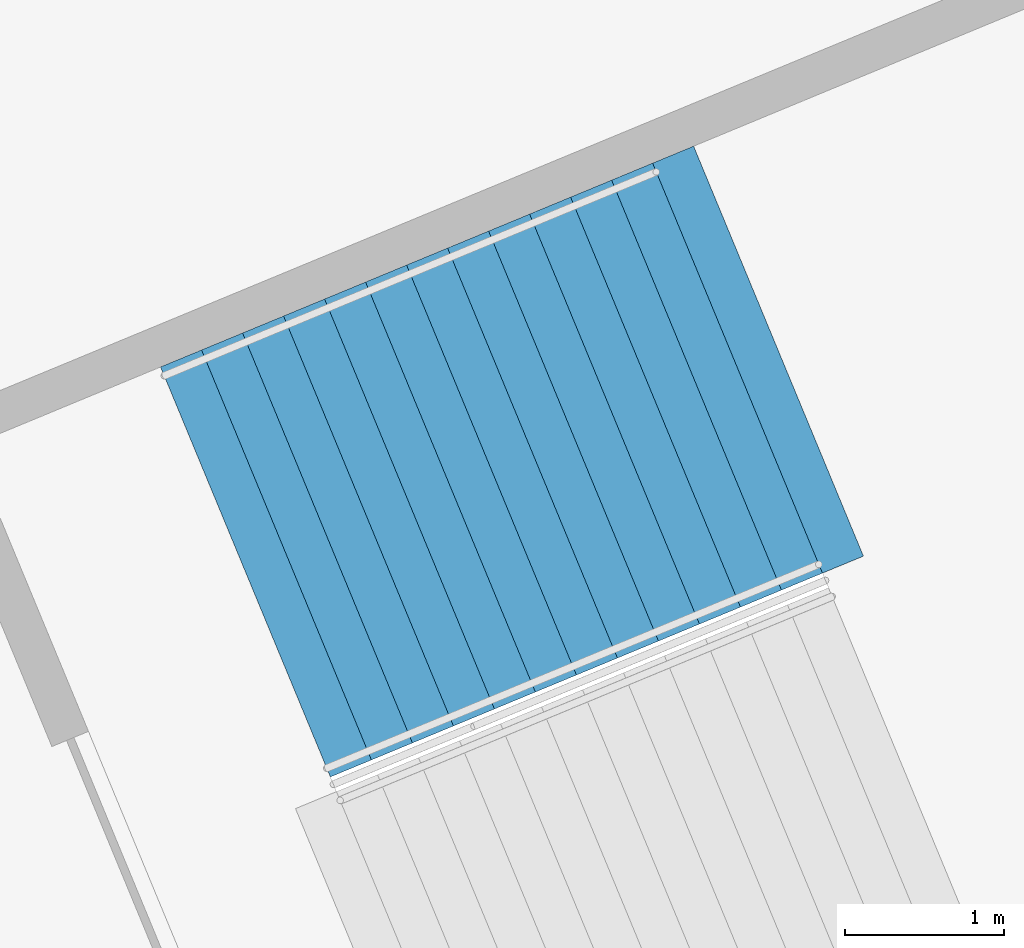
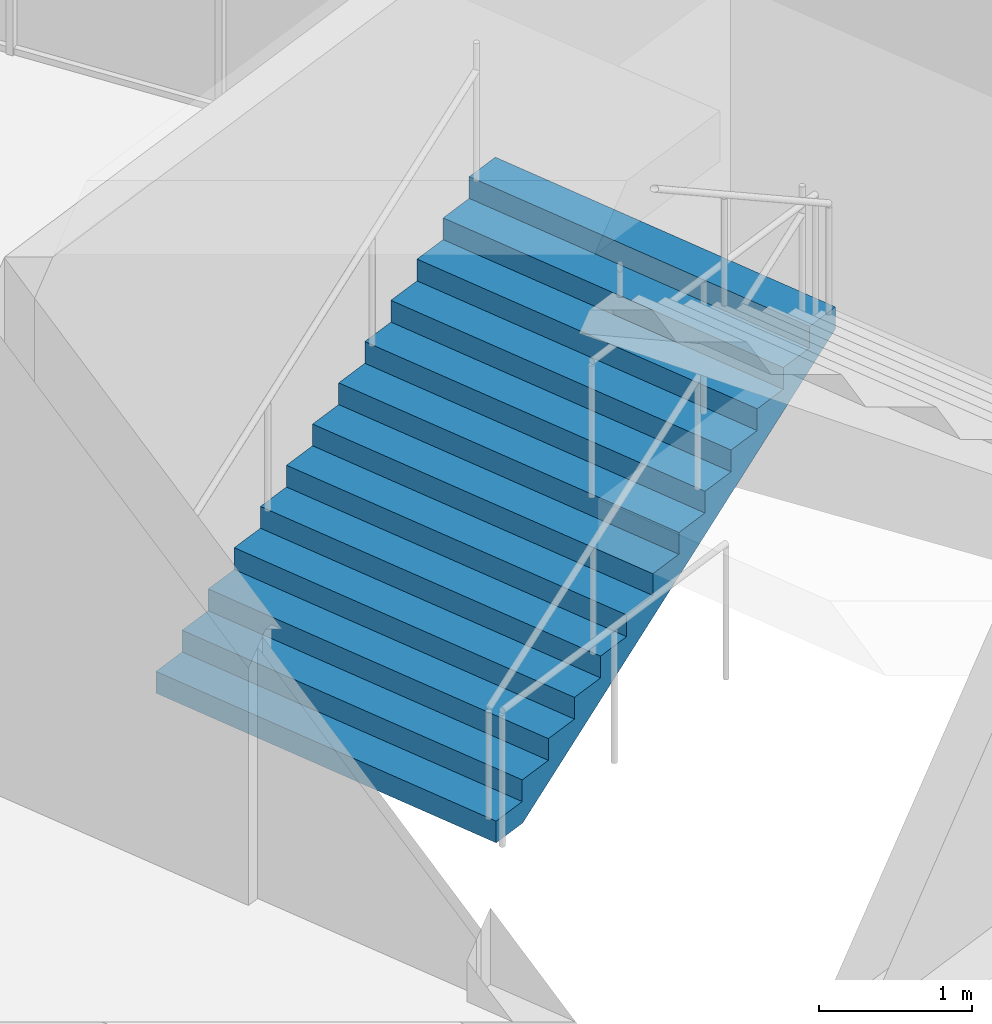
# One storey, part 227 of 249: 1 stair flight, 1 element without a shape of its own.
"""IFC4 building model written with IfcOpenShell, lengths in metres."""

from ifc_helpers import new_model, si_unit, direction, frame, origin, place, context, subcontext, project, spatial, faceted_brep, material, type_object, element, aggregate, save


model = new_model("IFC4")

# Units and contexts
model_context = context("Model", 3, precision=1e-05, world=origin(), true_north=direction((0.0, 1.0)))
body_context = subcontext(model_context, "Body", "Model", "MODEL_VIEW")
ifc_project = project(units=[si_unit("LENGTHUNIT", "METRE"), si_unit("AREAUNIT", "SQUARE_METRE"), si_unit("VOLUMEUNIT", "CUBIC_METRE"), si_unit("PLANEANGLEUNIT", "RADIAN"), si_unit("MASSUNIT", "GRAM", prefix="KILO")], contexts=[model_context])

# Site, building, storey
site_placement = place(None, origin())
site = spatial("IfcSite", under=ifc_project, at=site_placement, CompositionType="ELEMENT")
building_placement = place(site_placement, origin())
building = spatial("IfcBuilding", under=site, at=building_placement, Name="Ogive Plaza Stadium", CompositionType="ELEMENT")
storey_placement = place(building_placement, frame((0.0, 0.0, 13.5)))
storey = spatial("IfcBuildingStorey", under=building, at=storey_placement, Name="L03", CompositionType="ELEMENT", Elevation=13.5)

# Stair, stair flight
ifc_material_1 = material(Name="Concrete C40/50", Category="concrete")
stair_type = type_object("IfcStairType", Name="Exit stair", PredefinedType="STRAIGHT_RUN_STAIR", material=ifc_material_1)
stair_placement = place(storey_placement, origin())
stair = element("IfcStair", 1, at=stair_placement, inside=storey, type_object=stair_type, Name="Exit stair ST40B L03 to L04", PredefinedType="STRAIGHT_RUN_STAIR")
ifc_material_2 = material(Name="Concrete C40/50", Category="concrete")
stair_flight_type = type_object("IfcStairFlightType", Name="Exit stair flight", PredefinedType="STRAIGHT", material=ifc_material_2)
stair_flight_placement = place(storey_placement, frame((71.432861328125, 72.794921875, 0.0), z_axis=(0.0, 0.0, 1.0), x_axis=(0.923879532511, 0.382683432365, 0.0)))
stair_flight = element("IfcStairFlight", 2, at=stair_flight_placement, type_object=stair_flight_type, Name="ST40B flight 1", NumberOfRisers=13, NumberOfTreads=12, PredefinedType="STRAIGHT", RiserHeight=0.173076923, TreadLength=0.28, context=body_context, shape_type="Brep", body=[
    faceted_brep([(0.28515625, -1.39990234375, 0.0), (3.639892578125, -1.39990234375, 2.07373046875), (3.639892578125, -1.39990234375, 2.25), (3.360107421875, -1.39990234375, 2.25), (3.360107421875, -1.39990234375, 2.076904296875), (3.080078125, -1.39990234375, 2.076904296875), (3.080078125, -1.39990234375, 1.90380859375), (2.800048828125, -1.39990234375, 1.90380859375), (2.800048828125, -1.39990234375, 1.730712890625), (2.52001953125, -1.39990234375, 1.730712890625), (2.52001953125, -1.39990234375, 1.5576171875), (2.239990234375, -1.39990234375, 1.5576171875), (2.239990234375, -1.39990234375, 1.384521484375), (1.9599609375, -1.39990234375, 1.384521484375), (1.9599609375, -1.39990234375, 1.21142578125), (1.679931640625, -1.39990234375, 1.21142578125), (1.679931640625, -1.39990234375, 1.03857421875), (1.39990234375, -1.39990234375, 1.03857421875), (1.39990234375, -1.39990234375, 0.865478515625), (1.1201171875, -1.39990234375, 0.865478515625), (1.1201171875, -1.39990234375, 0.6923828125), (0.840087890625, -1.39990234375, 0.6923828125), (0.840087890625, -1.39990234375, 0.519287109375), (0.56005859375, -1.39990234375, 0.519287109375), (0.56005859375, -1.39990234375, 0.34619140625), (0.280029296875, -1.39990234375, 0.34619140625), (0.280029296875, -1.39990234375, 0.173095703125), (0.0, -1.39990234375, 0.173095703125), (0.0, -1.39990234375, 0.0), (0.0, 1.39990234375, 0.0), (0.0, 1.39990234375, 0.173095703125), (0.280029296875, 1.39990234375, 0.173095703125), (0.280029296875, 1.39990234375, 0.34619140625), (0.56005859375, 1.39990234375, 0.34619140625), (0.56005859375, 1.39990234375, 0.519287109375), (0.840087890625, 1.39990234375, 0.519287109375), (0.840087890625, 1.39990234375, 0.6923828125), (1.1201171875, 1.39990234375, 0.6923828125), (1.1201171875, 1.39990234375, 0.865478515625), (1.39990234375, 1.39990234375, 0.865478515625), (1.39990234375, 1.39990234375, 1.03857421875), (1.679931640625, 1.39990234375, 1.03857421875), (1.679931640625, 1.39990234375, 1.21142578125), (1.9599609375, 1.39990234375, 1.21142578125), (1.9599609375, 1.39990234375, 1.384521484375), (2.239990234375, 1.39990234375, 1.384521484375), (2.239990234375, 1.39990234375, 1.5576171875), (2.52001953125, 1.39990234375, 1.5576171875), (2.52001953125, 1.39990234375, 1.730712890625), (2.800048828125, 1.39990234375, 1.730712890625), (2.800048828125, 1.39990234375, 1.90380859375), (3.080078125, 1.39990234375, 1.90380859375), (3.080078125, 1.39990234375, 2.076904296875), (3.360107421875, 1.39990234375, 2.076904296875), (3.360107421875, 1.39990234375, 2.25), (3.639892578125, 1.39990234375, 2.25), (3.639892578125, 1.39990234375, 2.07373046875), (0.28515625, 1.39990234375, 0.0), (0.28515625, -1.0888671875, 0.0), (3.639892578125, -1.0888671875, 2.07373046875), (0.28515625, -0.77783203125, 0.0), (3.639892578125, -0.77783203125, 2.07373046875), (0.28515625, -0.466796875, 0.0), (3.639892578125, -0.466796875, 2.07373046875), (0.28515625, -0.155517578125, 0.0), (3.639892578125, -0.155517578125, 2.07373046875), (0.28515625, 0.155517578125, 0.0), (3.639892578125, 0.155517578125, 2.07373046875), (0.28515625, 0.466796875, 0.0), (3.639892578125, 0.466796875, 2.07373046875), (0.28515625, 0.77783203125, 0.0), (3.639892578125, 0.77783203125, 2.07373046875), (0.28515625, 1.0888671875, 0.0), (3.639892578125, 1.0888671875, 2.07373046875), (3.639892578125, -1.0888671875, 2.25), (3.639892578125, -0.77783203125, 2.25), (3.639892578125, -0.466796875, 2.25), (3.639892578125, -0.155517578125, 2.25), (3.639892578125, 0.155517578125, 2.25), (3.639892578125, 0.466796875, 2.25), (3.639892578125, 0.77783203125, 2.25), (3.639892578125, 1.0888671875, 2.25), (3.360107421875, -1.0888671875, 2.25), (3.360107421875, -0.77783203125, 2.25), (3.360107421875, -0.466796875, 2.25), (3.360107421875, -0.155517578125, 2.25), (3.360107421875, 0.155517578125, 2.25), (3.360107421875, 0.466796875, 2.25), (3.360107421875, 0.77783203125, 2.25), (3.360107421875, 1.0888671875, 2.25), (3.360107421875, -1.0888671875, 2.076904296875), (3.360107421875, -0.77783203125, 2.076904296875), (3.360107421875, -0.466796875, 2.076904296875), (3.360107421875, -0.155517578125, 2.076904296875), (3.360107421875, 0.155517578125, 2.076904296875), (3.360107421875, 0.466796875, 2.076904296875), (3.360107421875, 0.77783203125, 2.076904296875), (3.360107421875, 1.0888671875, 2.076904296875), (3.080078125, -1.0888671875, 2.076904296875), (3.080078125, -0.77783203125, 2.076904296875), (3.080078125, -0.466796875, 2.076904296875), (3.080078125, -0.155517578125, 2.076904296875), (3.080078125, 0.155517578125, 2.076904296875), (3.080078125, 0.466796875, 2.076904296875), (3.080078125, 0.77783203125, 2.076904296875), (3.080078125, 1.0888671875, 2.076904296875), (3.080078125, -1.0888671875, 1.90380859375), (3.080078125, -0.77783203125, 1.90380859375), (3.080078125, -0.466796875, 1.90380859375), (3.080078125, -0.155517578125, 1.90380859375), (3.080078125, 0.155517578125, 1.90380859375), (3.080078125, 0.466796875, 1.90380859375), (3.080078125, 0.77783203125, 1.90380859375), (3.080078125, 1.0888671875, 1.90380859375), (2.800048828125, -1.0888671875, 1.90380859375), (2.800048828125, -0.77783203125, 1.90380859375), (2.800048828125, -0.466796875, 1.90380859375), (2.800048828125, -0.155517578125, 1.90380859375), (2.800048828125, 0.155517578125, 1.90380859375), (2.800048828125, 0.466796875, 1.90380859375), (2.800048828125, 0.77783203125, 1.90380859375), (2.800048828125, 1.0888671875, 1.90380859375), (2.800048828125, -1.0888671875, 1.730712890625), (2.800048828125, -0.77783203125, 1.730712890625), (2.800048828125, -0.466796875, 1.730712890625), (2.800048828125, -0.155517578125, 1.730712890625), (2.800048828125, 0.155517578125, 1.730712890625), (2.800048828125, 0.466796875, 1.730712890625), (2.800048828125, 0.77783203125, 1.730712890625), (2.800048828125, 1.0888671875, 1.730712890625), (2.52001953125, -1.0888671875, 1.730712890625), (2.52001953125, -0.77783203125, 1.730712890625), (2.52001953125, -0.466796875, 1.730712890625), (2.52001953125, -0.155517578125, 1.730712890625), (2.52001953125, 0.155517578125, 1.730712890625), (2.52001953125, 0.466796875, 1.730712890625), (2.52001953125, 0.77783203125, 1.730712890625), (2.52001953125, 1.0888671875, 1.730712890625), (2.52001953125, -1.0888671875, 1.5576171875), (2.52001953125, -0.77783203125, 1.5576171875), (2.52001953125, -0.466796875, 1.5576171875), (2.52001953125, -0.155517578125, 1.5576171875), (2.52001953125, 0.155517578125, 1.5576171875), (2.52001953125, 0.466796875, 1.5576171875), (2.52001953125, 0.77783203125, 1.5576171875), (2.52001953125, 1.0888671875, 1.5576171875), (2.239990234375, -1.0888671875, 1.5576171875), (2.239990234375, -0.77783203125, 1.5576171875), (2.239990234375, -0.466796875, 1.5576171875), (2.239990234375, -0.155517578125, 1.5576171875), (2.239990234375, 0.155517578125, 1.5576171875), (2.239990234375, 0.466796875, 1.5576171875), (2.239990234375, 0.77783203125, 1.5576171875), (2.239990234375, 1.0888671875, 1.5576171875), (2.239990234375, -1.0888671875, 1.384521484375), (2.239990234375, -0.77783203125, 1.384521484375), (2.239990234375, -0.466796875, 1.384521484375), (2.239990234375, -0.155517578125, 1.384521484375), (2.239990234375, 0.155517578125, 1.384521484375), (2.239990234375, 0.466796875, 1.384521484375), (2.239990234375, 0.77783203125, 1.384521484375), (2.239990234375, 1.0888671875, 1.384521484375), (1.9599609375, -1.0888671875, 1.384521484375), (1.9599609375, -0.77783203125, 1.384521484375), (1.9599609375, -0.466796875, 1.384521484375), (1.9599609375, -0.155517578125, 1.384521484375), (1.9599609375, 0.155517578125, 1.384521484375), (1.9599609375, 0.466796875, 1.384521484375), (1.9599609375, 0.77783203125, 1.384521484375), (1.9599609375, 1.0888671875, 1.384521484375), (1.9599609375, -1.0888671875, 1.21142578125), (1.9599609375, -0.77783203125, 1.21142578125), (1.9599609375, -0.466796875, 1.21142578125), (1.9599609375, -0.155517578125, 1.21142578125), (1.9599609375, 0.155517578125, 1.21142578125), (1.9599609375, 0.466796875, 1.21142578125), (1.9599609375, 0.77783203125, 1.21142578125), (1.9599609375, 1.0888671875, 1.21142578125), (1.679931640625, -1.0888671875, 1.21142578125), (1.679931640625, -0.77783203125, 1.21142578125), (1.679931640625, -0.466796875, 1.21142578125), (1.679931640625, -0.155517578125, 1.21142578125), (1.679931640625, 0.155517578125, 1.21142578125), (1.679931640625, 0.466796875, 1.21142578125), (1.679931640625, 0.77783203125, 1.21142578125), (1.679931640625, 1.0888671875, 1.21142578125), (1.679931640625, -1.0888671875, 1.03857421875), (1.679931640625, -0.77783203125, 1.03857421875), (1.679931640625, -0.466796875, 1.03857421875), (1.679931640625, -0.155517578125, 1.03857421875), (1.679931640625, 0.155517578125, 1.03857421875), (1.679931640625, 0.466796875, 1.03857421875), (1.679931640625, 0.77783203125, 1.03857421875), (1.679931640625, 1.0888671875, 1.03857421875), (1.39990234375, -1.0888671875, 1.03857421875), (1.39990234375, -0.77783203125, 1.03857421875), (1.39990234375, -0.466796875, 1.03857421875), (1.39990234375, -0.155517578125, 1.03857421875), (1.39990234375, 0.155517578125, 1.03857421875), (1.39990234375, 0.466796875, 1.03857421875), (1.39990234375, 0.77783203125, 1.03857421875), (1.39990234375, 1.0888671875, 1.03857421875), (1.39990234375, -1.0888671875, 0.865478515625), (1.39990234375, -0.77783203125, 0.865478515625), (1.39990234375, -0.466796875, 0.865478515625), (1.39990234375, -0.155517578125, 0.865478515625), (1.39990234375, 0.155517578125, 0.865478515625), (1.39990234375, 0.466796875, 0.865478515625), (1.39990234375, 0.77783203125, 0.865478515625), (1.39990234375, 1.0888671875, 0.865478515625), (1.1201171875, -1.0888671875, 0.865478515625), (1.1201171875, -0.77783203125, 0.865478515625), (1.1201171875, -0.466796875, 0.865478515625), (1.1201171875, -0.155517578125, 0.865478515625), (1.1201171875, 0.155517578125, 0.865478515625), (1.1201171875, 0.466796875, 0.865478515625), (1.1201171875, 0.77783203125, 0.865478515625), (1.1201171875, 1.0888671875, 0.865478515625), (1.1201171875, -1.0888671875, 0.6923828125), (1.1201171875, -0.77783203125, 0.6923828125), (1.1201171875, -0.466796875, 0.6923828125), (1.1201171875, -0.155517578125, 0.6923828125), (1.1201171875, 0.155517578125, 0.6923828125), (1.1201171875, 0.466796875, 0.6923828125), (1.1201171875, 0.77783203125, 0.6923828125), (1.1201171875, 1.0888671875, 0.6923828125), (0.840087890625, -1.0888671875, 0.6923828125), (0.840087890625, -0.77783203125, 0.6923828125), (0.840087890625, -0.466796875, 0.6923828125), (0.840087890625, -0.155517578125, 0.6923828125), (0.840087890625, 0.155517578125, 0.6923828125), (0.840087890625, 0.466796875, 0.6923828125), (0.840087890625, 0.77783203125, 0.6923828125), (0.840087890625, 1.0888671875, 0.6923828125), (0.840087890625, -1.0888671875, 0.519287109375), (0.840087890625, -0.77783203125, 0.519287109375), (0.840087890625, -0.466796875, 0.519287109375), (0.840087890625, -0.155517578125, 0.519287109375), (0.840087890625, 0.155517578125, 0.519287109375), (0.840087890625, 0.466796875, 0.519287109375), (0.840087890625, 0.77783203125, 0.519287109375), (0.840087890625, 1.0888671875, 0.519287109375), (0.56005859375, -1.0888671875, 0.519287109375), (0.56005859375, -0.77783203125, 0.519287109375), (0.56005859375, -0.466796875, 0.519287109375), (0.56005859375, -0.155517578125, 0.519287109375), (0.56005859375, 0.155517578125, 0.519287109375), (0.56005859375, 0.466796875, 0.519287109375), (0.56005859375, 0.77783203125, 0.519287109375), (0.56005859375, 1.0888671875, 0.519287109375), (0.56005859375, -1.0888671875, 0.34619140625), (0.56005859375, -0.77783203125, 0.34619140625), (0.56005859375, -0.466796875, 0.34619140625), (0.56005859375, -0.155517578125, 0.34619140625), (0.56005859375, 0.155517578125, 0.34619140625), (0.56005859375, 0.466796875, 0.34619140625), (0.56005859375, 0.77783203125, 0.34619140625), (0.56005859375, 1.0888671875, 0.34619140625), (0.280029296875, -1.0888671875, 0.34619140625), (0.280029296875, -0.77783203125, 0.34619140625), (0.280029296875, -0.466796875, 0.34619140625), (0.280029296875, -0.155517578125, 0.34619140625), (0.280029296875, 0.155517578125, 0.34619140625), (0.280029296875, 0.466796875, 0.34619140625), (0.280029296875, 0.77783203125, 0.34619140625), (0.280029296875, 1.0888671875, 0.34619140625), (0.280029296875, -1.0888671875, 0.173095703125), (0.280029296875, -0.77783203125, 0.173095703125), (0.280029296875, -0.466796875, 0.173095703125), (0.280029296875, -0.155517578125, 0.173095703125), (0.280029296875, 0.155517578125, 0.173095703125), (0.280029296875, 0.466796875, 0.173095703125), (0.280029296875, 0.77783203125, 0.173095703125), (0.280029296875, 1.0888671875, 0.173095703125), (0.0, -1.0888671875, 0.173095703125), (0.0, -0.77783203125, 0.173095703125), (0.0, -0.466796875, 0.173095703125), (0.0, -0.155517578125, 0.173095703125), (0.0, 0.155517578125, 0.173095703125), (0.0, 0.466796875, 0.173095703125), (0.0, 0.77783203125, 0.173095703125), (0.0, 1.0888671875, 0.173095703125), (0.0, -1.0888671875, 0.0), (0.0, -0.77783203125, 0.0), (0.0, -0.466796875, 0.0), (0.0, -0.155517578125, 0.0), (0.0, 0.155517578125, 0.0), (0.0, 0.466796875, 0.0), (0.0, 0.77783203125, 0.0), (0.0, 1.0888671875, 0.0)], [[[0, 1, 2, 3, 4, 5, 6, 7, 8, 9, 10, 11, 12, 13, 14, 15, 16, 17, 18, 19, 20, 21, 22, 23, 24, 25, 26, 27, 28]], [[29, 30, 31, 32, 33, 34, 35, 36, 37, 38, 39, 40, 41, 42, 43, 44, 45, 46, 47, 48, 49, 50, 51, 52, 53, 54, 55, 56, 57]], [[0, 58, 59, 1]], [[58, 60, 61, 59]], [[60, 62, 63, 61]], [[62, 64, 65, 63]], [[64, 66, 67, 65]], [[66, 68, 69, 67]], [[68, 70, 71, 69]], [[70, 72, 73, 71]], [[72, 57, 56, 73]], [[1, 59, 74, 2]], [[59, 61, 75, 74]], [[61, 63, 76, 75]], [[63, 65, 77, 76]], [[65, 67, 78, 77]], [[67, 69, 79, 78]], [[69, 71, 80, 79]], [[71, 73, 81, 80]], [[73, 56, 55, 81]], [[2, 74, 82, 3]], [[74, 75, 83, 82]], [[75, 76, 84, 83]], [[76, 77, 85, 84]], [[77, 78, 86, 85]], [[78, 79, 87, 86]], [[79, 80, 88, 87]], [[80, 81, 89, 88]], [[81, 55, 54, 89]], [[3, 82, 90, 4]], [[82, 83, 91, 90]], [[83, 84, 92, 91]], [[84, 85, 93, 92]], [[85, 86, 94, 93]], [[86, 87, 95, 94]], [[87, 88, 96, 95]], [[88, 89, 97, 96]], [[89, 54, 53, 97]], [[4, 90, 98, 5]], [[90, 91, 99, 98]], [[91, 92, 100, 99]], [[92, 93, 101, 100]], [[93, 94, 102, 101]], [[94, 95, 103, 102]], [[95, 96, 104, 103]], [[96, 97, 105, 104]], [[97, 53, 52, 105]], [[5, 98, 106, 6]], [[98, 99, 107, 106]], [[99, 100, 108, 107]], [[100, 101, 109, 108]], [[101, 102, 110, 109]], [[102, 103, 111, 110]], [[103, 104, 112, 111]], [[104, 105, 113, 112]], [[105, 52, 51, 113]], [[6, 106, 114, 7]], [[106, 107, 115, 114]], [[107, 108, 116, 115]], [[108, 109, 117, 116]], [[109, 110, 118, 117]], [[110, 111, 119, 118]], [[111, 112, 120, 119]], [[112, 113, 121, 120]], [[113, 51, 50, 121]], [[7, 114, 122, 8]], [[114, 115, 123, 122]], [[115, 116, 124, 123]], [[116, 117, 125, 124]], [[117, 118, 126, 125]], [[118, 119, 127, 126]], [[119, 120, 128, 127]], [[120, 121, 129, 128]], [[121, 50, 49, 129]], [[8, 122, 130, 9]], [[122, 123, 131, 130]], [[123, 124, 132, 131]], [[124, 125, 133, 132]], [[125, 126, 134, 133]], [[126, 127, 135, 134]], [[127, 128, 136, 135]], [[128, 129, 137, 136]], [[129, 49, 48, 137]], [[9, 130, 138, 10]], [[130, 131, 139, 138]], [[131, 132, 140, 139]], [[132, 133, 141, 140]], [[133, 134, 142, 141]], [[134, 135, 143, 142]], [[135, 136, 144, 143]], [[136, 137, 145, 144]], [[137, 48, 47, 145]], [[10, 138, 146, 11]], [[138, 139, 147, 146]], [[139, 140, 148, 147]], [[140, 141, 149, 148]], [[141, 142, 150, 149]], [[142, 143, 151, 150]], [[143, 144, 152, 151]], [[144, 145, 153, 152]], [[145, 47, 46, 153]], [[11, 146, 154, 12]], [[146, 147, 155, 154]], [[147, 148, 156, 155]], [[148, 149, 157, 156]], [[149, 150, 158, 157]], [[150, 151, 159, 158]], [[151, 152, 160, 159]], [[152, 153, 161, 160]], [[153, 46, 45, 161]], [[12, 154, 162, 13]], [[154, 155, 163, 162]], [[155, 156, 164, 163]], [[156, 157, 165, 164]], [[157, 158, 166, 165]], [[158, 159, 167, 166]], [[159, 160, 168, 167]], [[160, 161, 169, 168]], [[161, 45, 44, 169]], [[13, 162, 170, 14]], [[162, 163, 171, 170]], [[163, 164, 172, 171]], [[164, 165, 173, 172]], [[165, 166, 174, 173]], [[166, 167, 175, 174]], [[167, 168, 176, 175]], [[168, 169, 177, 176]], [[169, 44, 43, 177]], [[14, 170, 178, 15]], [[170, 171, 179, 178]], [[171, 172, 180, 179]], [[172, 173, 181, 180]], [[173, 174, 182, 181]], [[174, 175, 183, 182]], [[175, 176, 184, 183]], [[176, 177, 185, 184]], [[177, 43, 42, 185]], [[15, 178, 186, 16]], [[178, 179, 187, 186]], [[179, 180, 188, 187]], [[180, 181, 189, 188]], [[181, 182, 190, 189]], [[182, 183, 191, 190]], [[183, 184, 192, 191]], [[184, 185, 193, 192]], [[185, 42, 41, 193]], [[16, 186, 194, 17]], [[186, 187, 195, 194]], [[187, 188, 196, 195]], [[188, 189, 197, 196]], [[189, 190, 198, 197]], [[190, 191, 199, 198]], [[191, 192, 200, 199]], [[192, 193, 201, 200]], [[193, 41, 40, 201]], [[17, 194, 202, 18]], [[194, 195, 203, 202]], [[195, 196, 204, 203]], [[196, 197, 205, 204]], [[197, 198, 206, 205]], [[198, 199, 207, 206]], [[199, 200, 208, 207]], [[200, 201, 209, 208]], [[201, 40, 39, 209]], [[18, 202, 210, 19]], [[202, 203, 211, 210]], [[203, 204, 212, 211]], [[204, 205, 213, 212]], [[205, 206, 214, 213]], [[206, 207, 215, 214]], [[207, 208, 216, 215]], [[208, 209, 217, 216]], [[209, 39, 38, 217]], [[19, 210, 218, 20]], [[210, 211, 219, 218]], [[211, 212, 220, 219]], [[212, 213, 221, 220]], [[213, 214, 222, 221]], [[214, 215, 223, 222]], [[215, 216, 224, 223]], [[216, 217, 225, 224]], [[217, 38, 37, 225]], [[20, 218, 226, 21]], [[218, 219, 227, 226]], [[219, 220, 228, 227]], [[220, 221, 229, 228]], [[221, 222, 230, 229]], [[222, 223, 231, 230]], [[223, 224, 232, 231]], [[224, 225, 233, 232]], [[225, 37, 36, 233]], [[21, 226, 234, 22]], [[226, 227, 235, 234]], [[227, 228, 236, 235]], [[228, 229, 237, 236]], [[229, 230, 238, 237]], [[230, 231, 239, 238]], [[231, 232, 240, 239]], [[232, 233, 241, 240]], [[233, 36, 35, 241]], [[22, 234, 242, 23]], [[234, 235, 243, 242]], [[235, 236, 244, 243]], [[236, 237, 245, 244]], [[237, 238, 246, 245]], [[238, 239, 247, 246]], [[239, 240, 248, 247]], [[240, 241, 249, 248]], [[241, 35, 34, 249]], [[23, 242, 250, 24]], [[242, 243, 251, 250]], [[243, 244, 252, 251]], [[244, 245, 253, 252]], [[245, 246, 254, 253]], [[246, 247, 255, 254]], [[247, 248, 256, 255]], [[248, 249, 257, 256]], [[249, 34, 33, 257]], [[24, 250, 258, 25]], [[250, 251, 259, 258]], [[251, 252, 260, 259]], [[252, 253, 261, 260]], [[253, 254, 262, 261]], [[254, 255, 263, 262]], [[255, 256, 264, 263]], [[256, 257, 265, 264]], [[257, 33, 32, 265]], [[25, 258, 266, 26]], [[258, 259, 267, 266]], [[259, 260, 268, 267]], [[260, 261, 269, 268]], [[261, 262, 270, 269]], [[262, 263, 271, 270]], [[263, 264, 272, 271]], [[264, 265, 273, 272]], [[265, 32, 31, 273]], [[26, 266, 274, 27]], [[266, 267, 275, 274]], [[267, 268, 276, 275]], [[268, 269, 277, 276]], [[269, 270, 278, 277]], [[270, 271, 279, 278]], [[271, 272, 280, 279]], [[272, 273, 281, 280]], [[273, 31, 30, 281]], [[27, 274, 282, 28]], [[274, 275, 283, 282]], [[275, 276, 284, 283]], [[276, 277, 285, 284]], [[277, 278, 286, 285]], [[278, 279, 287, 286]], [[279, 280, 288, 287]], [[280, 281, 289, 288]], [[281, 30, 29, 289]], [[28, 282, 58, 0]], [[282, 283, 60, 58]], [[283, 284, 62, 60]], [[284, 285, 64, 62]], [[285, 286, 66, 64]], [[286, 287, 68, 66]], [[287, 288, 70, 68]], [[288, 289, 72, 70]], [[289, 29, 57, 72]]]),
])
aggregate(stair, [stair_flight])

save(model, "model.ifc")
